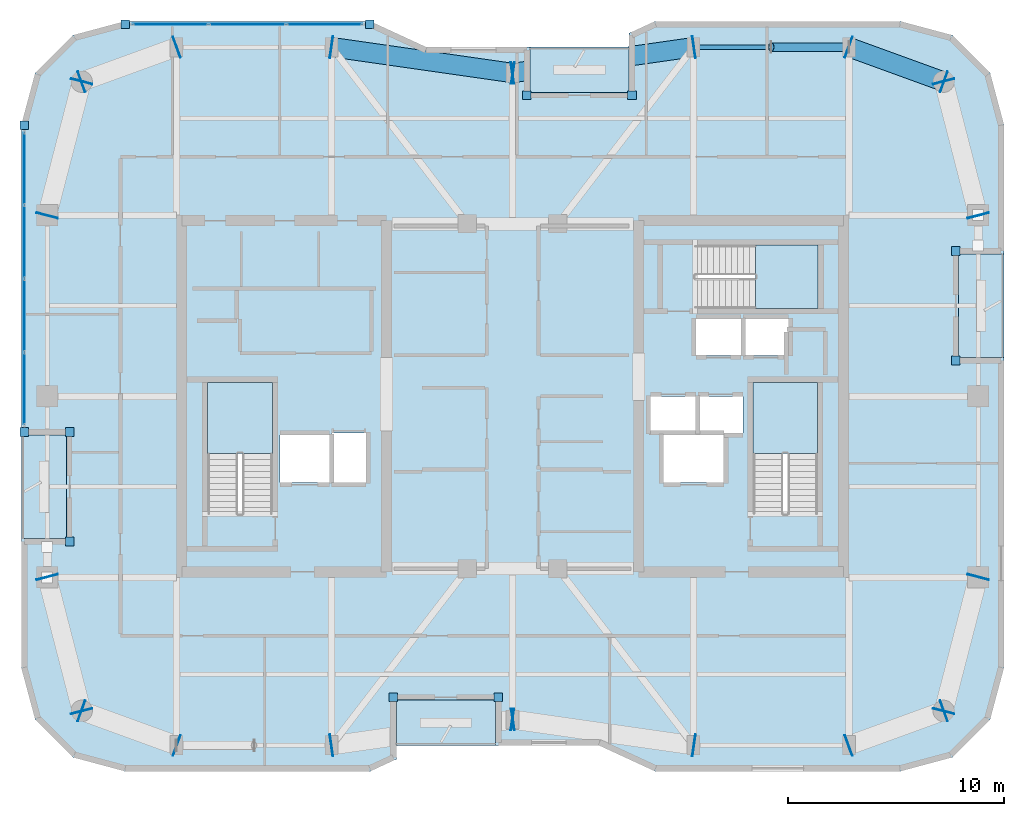
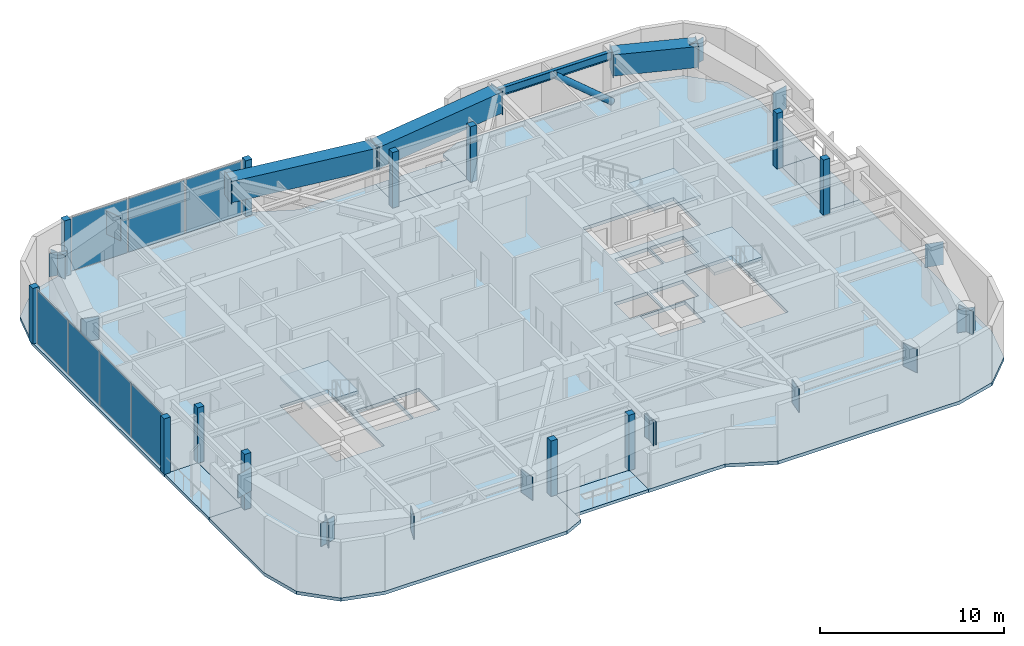
# One storey, part 7 of 15: 43 plates, 8 slabs, 4 beams, 1 member, 5 elements without a shape of their own.
"""IFC4 building model written with IfcOpenShell, lengths in metres."""

from ifc_helpers import new_model, si_unit, direction, frame, origin, origin_2d, place, context, subcontext, project, spatial, polyline, rectangle, hollow_rectangle, hollow_circle, i_section, outline, extrude, material, layer, layer_set, material_profile, profile_set, type_object, element, aggregate, save


model = new_model("IFC4")

# Units and contexts
model_context = context("Model", 3, precision=1e-05, world=origin(), true_north=direction((0.0, 1.0)))
body_context = subcontext(model_context, "Body", "Model", "MODEL_VIEW")
ifc_project = project(units=[si_unit("LENGTHUNIT", "METRE"), si_unit("AREAUNIT", "SQUARE_METRE"), si_unit("VOLUMEUNIT", "CUBIC_METRE"), si_unit("PLANEANGLEUNIT", "RADIAN"), si_unit("MASSUNIT", "GRAM", prefix="KILO")], contexts=[model_context])

# Site, building, storey
site_placement = place(None, origin())
site = spatial("IfcSite", under=ifc_project, at=site_placement, CompositionType="ELEMENT")
building_placement = place(site_placement, origin())
building = spatial("IfcBuilding", under=site, at=building_placement, Name="Kiyonajd Concourse Tower", CompositionType="ELEMENT")
storey_placement = place(building_placement, frame((0.0, 0.0, 262.800048828125)))
storey = spatial("IfcBuildingStorey", under=building, at=storey_placement, Name="L66", CompositionType="ELEMENT", Elevation=262.800048828125)

# Beams
ifc_material_1 = material(Name="Steel ASTM A992 Grade 50", Category="steel")
ifc_material_profile_1 = material_profile(ifc_material_1, i_section(OverallWidth=0.2109375, OverallDepth=0.5390625, WebThickness=0.01171875, FlangeThickness=0.018798828125, at=origin_2d()), Name="W530X109")
ifc_profile_set_1 = profile_set([ifc_material_profile_1], Name="Steel ASTM A992 Grade 50")
beam_type_1 = type_object("IfcBeamType", Name="BM-SPAN-530B", PredefinedType="SPANDREL", material=ifc_profile_set_1)
beam_1_placement = place(storey_placement, frame((63.60009765625, 52.199951171875, 3.410400390625), z_axis=(-1.0, 0.0, 0.0), x_axis=(0.0, -1.0, 0.0)))
element("IfcBeam", 1, at=beam_1_placement, inside=storey, type_object=beam_type_1, Name="L66 Perimeter Bundled Tube Spandrel", PredefinedType="SPANDREL", context=body_context, shape_type="SweptSolid", body=[
    extrude(i_section(OverallWidth=0.2109375, OverallDepth=0.5390625, WebThickness=0.01171875, FlangeThickness=0.018798828125, at=origin_2d()), origin(), (0.0, 0.0, 1.0), 7.2001953125),
])
ifc_material_2 = material(Name="Steel ASTM A572 Grade 50", Category="steel")
ifc_material_profile_2 = material_profile(ifc_material_2, hollow_rectangle(XDim=0.89990234375, YDim=1.39990234375, WallThickness=0.070068359375, at=origin_2d()), Name="BOX-1400x900x70")
ifc_profile_set_2 = profile_set([ifc_material_profile_2], Name="Steel ASTM A572 Grade 50")
beam_type_2 = type_object("IfcBeamType", Name="BM-XFER-1400", PredefinedType="BEAM", material=ifc_profile_set_2)
beam_2_placement = place(storey_placement, frame((68.0, 50.60009765625, 2.97998046875), z_axis=(-0.939801036019, 0.341722127901, 0.0), x_axis=(-0.341722127901, -0.939801036019, 0.0)))
element("IfcBeam", 2, at=beam_2_placement, inside=storey, type_object=beam_type_2, Name="L66 Perimeter Bundled Tube Spandrel", PredefinedType="BEAM", context=body_context, shape_type="SweptSolid", body=[
    extrude(hollow_rectangle(XDim=0.89990234375, YDim=1.39990234375, WallThickness=0.070068359375, at=origin_2d()), origin(), (0.0, 0.0, 1.0), 4.681640625),
])
for number, where, z_axis, x_axis, name in (
    (3, (56.39990234375, 52.199951171875, 2.97998046875), (-0.989950069105, -0.141417328072, 0.0), (0.141417328072, -0.989950069105, 0.0), "L66 Perimeter Bundled Tube Spandrel"),
    (4, (48.0, 51.0, 2.97998046875), (-0.989950069105, 0.141417328072, 0.0), (-0.141417328072, -0.989950069105, 0.0), "L66 Perimeter Bundled Tube Spandrel"),
):
    element("IfcBeam", number, at=place(storey_placement, frame(where, z_axis=z_axis, x_axis=x_axis)), inside=storey, type_object=beam_type_2, Name=name, PredefinedType="BEAM", context=body_context, shape_type="SweptSolid", body=[
        extrude(hollow_rectangle(XDim=0.89990234375, YDim=1.39990234375, WallThickness=0.070068359375, at=origin_2d()), origin(), (0.0, 0.0, 1.0), 8.485107421875),
    ])

# Member
ifc_material_3 = material(Name="Steel ASTM A500 Grade C", Category="steel")
ifc_material_profile_3 = material_profile(ifc_material_3, hollow_circle(Radius=0.202880859375, WallThickness=0.01904296875, at=origin_2d()), Name="CHS-406x19")
ifc_profile_set_3 = profile_set([ifc_material_profile_3], Name="Steel ASTM A500 Grade C")
member_type = type_object("IfcMemberType", Name="MB-PB-HIGH", PredefinedType="BRACE", material=ifc_profile_set_3)
member_placement = place(storey_placement, frame((63.60009765625, 52.199951171875, 0.300048828125), z_axis=(-0.765107605277, 0.0, 0.643902440085), x_axis=(0.0, -1.0, 0.0)))
element("IfcMember", 5, at=member_placement, inside=storey, type_object=member_type, Name="L66 Upper Zone Hollow Tube Brace PBN", PredefinedType="BRACE", context=body_context, shape_type="SweptSolid", body=[
    extrude(hollow_circle(Radius=0.202880859375, WallThickness=0.01904296875, at=origin_2d()), origin(), (0.0, 0.0, 1.0), 4.705322265625),
])

# Plates
ifc_layer_1 = layer(ifc_material_2, 0.031982421875)
ifc_layer_set_1 = layer_set([ifc_layer_1], Name="Steel ASTM A572 Grade 50")
plate_type_1 = type_object("IfcPlateType", Name="PL-CAP-540", PredefinedType="USERDEFINED", material=ifc_layer_set_1)
for number, where, z_axis, x_axis, name in (
    (6, (26.397216796875, 27.610595703125, 2.2099609375), (0.0, 0.0, 1.0), (-0.249873048837, 0.968278606324, 0.0), "L66 Welded Box Girder End Cap"),
    (7, (28.002685546875, 21.389404296875, 2.2099609375), (0.0, 0.0, 1.0), (0.249873048837, -0.968278606324, 0.0), "L66 Welded Box Girder End Cap"),
    (8, (27.98974609375, 21.40380859375, 2.2099609375), (0.0, 0.0, 1.0), (-0.939811951086, 0.341692107891, 0.0), "L66 Welded Box Girder End Cap"),
    (9, (32.410400390625, 19.796142578125, 2.2099609375), (0.0, 0.0, 1.0), (0.939811951086, -0.341692107891, 0.0), "L66 Welded Box Girder End Cap"),
    (10, (39.589111328125, 19.79833984375, 2.2099609375), (0.0, 0.0, 1.0), (-0.989949746297, -0.141419587774, 0.0), "L66 Welded Box Girder End Cap"),
    (11, (48.010986328125, 21.001708984375, 2.2099609375), (0.0, 0.0, 1.0), (0.989949746297, 0.141419587774, 0.0), "L66 Welded Box Girder End Cap"),
    (12, (47.989013671875, 21.001708984375, 2.2099609375), (0.0, 0.0, 1.0), (-0.989949746297, 0.141419587774, 0.0), "L66 Welded Box Girder End Cap"),
    (13, (56.410888671875, 19.79833984375, 2.2099609375), (0.0, 0.0, 1.0), (0.989949746297, -0.141419587774, 0.0), "L66 Welded Box Girder End Cap"),
    (14, (63.589599609375, 19.796142578125, 2.2099609375), (0.0, 0.0, 1.0), (-0.939811951086, -0.341692107891, 0.0), "L66 Welded Box Girder End Cap"),
    (15, (68.01025390625, 21.40380859375, 2.2099609375), (0.0, 0.0, 1.0), (0.939811951086, 0.341692107891, 0.0), "L66 Welded Box Girder End Cap"),
    (16, (67.997314453125, 21.389404296875, 2.2099609375), (0.0, 0.0, 1.0), (-0.249873048837, -0.968278606324, 0.0), "L66 Welded Box Girder End Cap"),
    (17, (69.602783203125, 27.610595703125, 2.2099609375), (0.0, 0.0, 1.0), (0.249873048837, 0.968278606324, 0.0), "L66 Welded Box Girder End Cap"),
    (18, (69.602783203125, 44.389404296875, 2.2099609375), (0.0, 0.0, 1.0), (0.249873048837, -0.968278606324, 0.0), "L66 Welded Box Girder End Cap"),
    (19, (67.997314453125, 50.610595703125, 2.2099609375), (0.0, 0.0, 1.0), (-0.249873048837, 0.968278606324, 0.0), "L66 Welded Box Girder End Cap"),
    (20, (68.01025390625, 50.59619140625, 2.2099609375), (0.0, 0.0, 1.0), (0.939811951086, -0.341692107891, 0.0), "L66 Welded Box Girder End Cap"),
    (21, (63.589599609375, 52.203857421875, 2.2099609375), (0.0, 0.0, 1.0), (-0.939811951086, 0.341692107891, 0.0), "L66 Welded Box Girder End Cap"),
    (22, (56.410888671875, 52.20166015625, 2.2099609375), (0.0, 0.0, 1.0), (0.989949746297, 0.141419587774, 0.0), "L66 Welded Box Girder End Cap"),
    (23, (47.989013671875, 50.998291015625, 2.2099609375), (0.0, 0.0, 1.0), (-0.989949746297, -0.141419587774, 0.0), "L66 Welded Box Girder End Cap"),
    (24, (48.010986328125, 50.998291015625, 2.2099609375), (0.0, 0.0, 1.0), (0.989949746297, -0.141419587774, 0.0), "L66 Welded Box Girder End Cap"),
    (25, (39.589111328125, 52.20166015625, 2.2099609375), (0.0, 0.0, 1.0), (-0.989949746297, 0.141419587774, 0.0), "L66 Welded Box Girder End Cap"),
    (26, (32.410400390625, 52.203857421875, 2.2099609375), (0.0, 0.0, 1.0), (0.939811951086, 0.341692107891, 0.0), "L66 Welded Box Girder End Cap"),
    (27, (27.98974609375, 50.59619140625, 2.2099609375), (0.0, 0.0, 1.0), (-0.939811951086, -0.341692107891, 0.0), "L66 Welded Box Girder End Cap"),
    (28, (28.002685546875, 50.610595703125, 2.2099609375), (0.0, 0.0, 1.0), (0.249873048837, 0.968278606324, 0.0), "L66 Welded Box Girder End Cap"),
    (29, (26.397216796875, 44.389404296875, 2.2099609375), (0.0, 0.0, 1.0), (-0.249873048837, -0.968278606324, 0.0), "L66 Welded Box Girder End Cap"),
):
    element("IfcPlate", number, at=place(storey_placement, frame(where, z_axis=z_axis, x_axis=x_axis)), inside=storey, type_object=plate_type_1, Name=name, ObjectType="CAP PLATE", PredefinedType="USERDEFINED", context=body_context, shape_type="SweptSolid", body=[
        extrude(rectangle(XDim=0.035888671875, YDim=1.02001953125, at=origin_2d()), origin(), (0.0, 0.0, 1.0), 1.5400390625),
    ])

# Curtain wall, plates
ifc_material_4 = material(Name="Thermally Broken Anodised Aluminium", Category="aluminium")
ifc_layer_2 = layer(ifc_material_4, 0.179931640625)
ifc_layer_set_2 = layer_set([ifc_layer_2], Name="Thermally Broken Anodised Aluminium")
curtain_wall_type = type_object("IfcCurtainWallType", Name="CW-SYS-04", PredefinedType="NOTDEFINED", material=ifc_layer_set_2)
curtain_wall_1_placement = place(storey_placement, origin())
curtain_wall_1 = element("IfcCurtainWall", 30, at=curtain_wall_1_placement, inside=storey, type_object=curtain_wall_type, Name="L66 Unitised Curtain Wall CW4", PredefinedType="NOTDEFINED")
ifc_material_5 = material(Name="Double Low-E Insulated Glass", Category="glass")
ifc_layer_3 = layer(ifc_material_5, 0.033935546875)
ifc_layer_set_3 = layer_set([ifc_layer_3], Name="Double Low-E Insulated Glass")
plate_type_2 = type_object("IfcPlateType", Name="PL-CW-VIS34", PredefinedType="CURTAIN_PANEL", material=ifc_layer_set_3)
plate_1_placement = place(storey_placement, frame((25.340087890625, 36.35400390625, 0.06494140625), z_axis=(0.0, 0.0, 1.0), x_axis=(0.0, 1.0, 0.0)))
plate_1 = element("IfcPlate", 31, at=plate_1_placement, type_object=plate_type_2, Name="CW4 panel 1.1", PredefinedType="CURTAIN_PANEL", context=body_context, shape_type="SweptSolid", body=[
    extrude(rectangle(XDim=3.31787109375, YDim=0.033935546875, at=origin_2d()), origin(), (0.0, 0.0, 1.0), 3.550048828125),
])
plate_2_placement = place(storey_placement, frame((25.340087890625, 39.753173828125, 0.06494140625), z_axis=(0.0, 0.0, 1.0), x_axis=(0.0, 1.0, 0.0)))
plate_2 = element("IfcPlate", 32, at=plate_2_placement, type_object=plate_type_2, Name="CW4 panel 2.1", PredefinedType="CURTAIN_PANEL", context=body_context, shape_type="SweptSolid", body=[
    extrude(rectangle(XDim=3.350341796875, YDim=0.033935546875, at=origin_2d()), origin(), (0.0, 0.0, 1.0), 3.550048828125),
])
plate_3_placement = place(storey_placement, frame((25.340087890625, 43.16845703125, 0.06494140625), z_axis=(0.0, 0.0, 1.0), x_axis=(0.0, 1.0, 0.0)))
plate_3 = element("IfcPlate", 33, at=plate_3_placement, type_object=plate_type_2, Name="CW4 panel 3.1", PredefinedType="CURTAIN_PANEL", context=body_context, shape_type="SweptSolid", body=[
    extrude(rectangle(XDim=3.350341796875, YDim=0.033935546875, at=origin_2d()), origin(), (0.0, 0.0, 1.0), 3.550048828125),
])
plate_4_placement = place(storey_placement, frame((25.340087890625, 46.567626953125, 0.06494140625), z_axis=(0.0, 0.0, 1.0), x_axis=(0.0, 1.0, 0.0)))
plate_4 = element("IfcPlate", 34, at=plate_4_placement, type_object=plate_type_2, Name="CW4 panel 4.1", PredefinedType="CURTAIN_PANEL", context=body_context, shape_type="SweptSolid", body=[
    extrude(rectangle(XDim=3.31787109375, YDim=0.033935546875, at=origin_2d()), origin(), (0.0, 0.0, 1.0), 3.550048828125),
])
aggregate(curtain_wall_1, [plate_1, plate_2, plate_3, plate_4])

curtain_wall_2_placement = place(storey_placement, origin())
curtain_wall_2 = element("IfcCurtainWall", 35, at=curtain_wall_2_placement, inside=storey, type_object=curtain_wall_type, Name="L66 Unitised Curtain Wall CW4", PredefinedType="NOTDEFINED")
plate_5_placement = place(storey_placement, frame((32.119873046875, 53.260009765625, 0.06494140625), z_axis=(0.0, 0.0, 1.0), x_axis=(1.0, 0.0, 0.0)))
plate_5 = element("IfcPlate", 36, at=plate_5_placement, type_object=plate_type_2, Name="CW4 panel 1.1", PredefinedType="CURTAIN_PANEL", context=body_context, shape_type="SweptSolid", body=[
    extrude(rectangle(XDim=3.492919921875, YDim=0.033935546875, at=origin_2d()), origin(), (0.0, 0.0, 1.0), 3.550048828125),
])
plate_6_placement = place(storey_placement, frame((35.69384765625, 53.260009765625, 0.06494140625), z_axis=(0.0, 0.0, 1.0), x_axis=(1.0, 0.0, 0.0)))
plate_6 = element("IfcPlate", 37, at=plate_6_placement, type_object=plate_type_2, Name="CW4 panel 2.1", PredefinedType="CURTAIN_PANEL", context=body_context, shape_type="SweptSolid", body=[
    extrude(rectangle(XDim=3.525390625, YDim=0.033935546875, at=origin_2d()), origin(), (0.0, 0.0, 1.0), 3.550048828125),
])
plate_7_placement = place(storey_placement, frame((39.267822265625, 53.260009765625, 0.06494140625), z_axis=(0.0, 0.0, 1.0), x_axis=(1.0, 0.0, 0.0)))
plate_7 = element("IfcPlate", 38, at=plate_7_placement, type_object=plate_type_2, Name="CW4 panel 3.1", PredefinedType="CURTAIN_PANEL", context=body_context, shape_type="SweptSolid", body=[
    extrude(rectangle(XDim=3.492919921875, YDim=0.033935546875, at=origin_2d()), origin(), (0.0, 0.0, 1.0), 3.550048828125),
])
aggregate(curtain_wall_2, [plate_5, plate_6, plate_7])

# Plates
ifc_layer_4 = layer(ifc_material_4, 0.39990234375)
ifc_layer_set_4 = layer_set([ifc_layer_4], Name="Thermally Broken Anodised Aluminium")
plate_type_3 = type_object("IfcPlateType", Name="PL-JMB-400", PredefinedType="USERDEFINED", material=ifc_layer_set_4)
for number, where, z_axis, x_axis, name in (
    (39, (27.43994140625, 29.260009765625, 0.0), (0.0, 0.0, 1.0), (1.0, 0.0, 0.0), "L66 Facade Jamb Closure Plate 01"),
    (40, (27.43994140625, 34.340087890625, 0.0), (0.0, 0.0, 1.0), (1.0, 0.0, 0.0), "L66 Facade Jamb Closure Plate 02"),
    (41, (25.340087890625, 34.340087890625, 0.0), (0.0, 0.0, 1.0), (1.0, 0.0, 0.0), "L66 Facade Jamb Closure Plate 03"),
    (42, (25.340087890625, 48.58154296875, 0.0), (0.0, 0.0, 1.0), (1.0, 0.0, 0.0), "L66 Facade Jamb Closure Plate 04"),
    (43, (30.018310546875, 53.260009765625, 0.0), (0.0, 0.0, 1.0), (1.0, 0.0, 0.0), "L66 Facade Jamb Closure Plate 05"),
    (44, (41.369384765625, 53.260009765625, 0.0), (0.0, 0.0, 1.0), (1.0, 0.0, 0.0), "L66 Facade Jamb Closure Plate 06"),
    (45, (48.659912109375, 49.9599609375, 0.0), (0.0, 0.0, 1.0), (1.0, 0.0, 0.0), "L66 Facade Jamb Closure Plate 07"),
    (46, (53.5400390625, 49.9599609375, 0.0), (0.0, 0.0, 1.0), (1.0, 0.0, 0.0), "L66 Facade Jamb Closure Plate 08"),
    (47, (68.56005859375, 42.739990234375, 0.0), (0.0, 0.0, 1.0), (1.0, 0.0, 0.0), "L66 Facade Jamb Closure Plate 09"),
    (48, (68.56005859375, 37.659912109375, 0.0), (0.0, 0.0, 1.0), (1.0, 0.0, 0.0), "L66 Facade Jamb Closure Plate 10"),
    (49, (47.340087890625, 22.0400390625, 0.0), (0.0, 0.0, 1.0), (1.0, 0.0, 0.0), "L66 Facade Jamb Closure Plate 11"),
    (50, (42.4599609375, 22.0400390625, 0.0), (0.0, 0.0, 1.0), (1.0, 0.0, 0.0), "L66 Facade Jamb Closure Plate 12"),
):
    element("IfcPlate", number, at=place(storey_placement, frame(where, z_axis=z_axis, x_axis=x_axis)), inside=storey, type_object=plate_type_3, Name=name, ObjectType="JAMB PLATE", PredefinedType="USERDEFINED", context=body_context, shape_type="SweptSolid", body=[
        extrude(rectangle(XDim=0.39990234375, YDim=0.39990234375, at=origin_2d()), origin(), (0.0, 0.0, 1.0), 3.679931640625),
    ])

# Stair, slab
ifc_material_6 = material(Name="Concrete C40/50", Category="concrete")
stair_type = type_object("IfcStairType", Name="ST-DLG-22R", PredefinedType="HALF_TURN_STAIR", material=ifc_material_6)
stair_1_placement = place(storey_placement, origin())
stair_1 = element("IfcStair", 51, at=stair_1_placement, inside=storey, type_object=stair_type, Name="L66 Protected Exit Stair ST1", PredefinedType="HALF_TURN_STAIR")
ifc_layer_5 = layer(ifc_material_6, 0.199951171875)
ifc_layer_set_5 = layer_set([ifc_layer_5], Name="Concrete C40/50")
slab_type_1 = type_object("IfcSlabType", Name="SL-LND-200", PredefinedType="LANDING", material=ifc_layer_set_5)
slab_1_placement = place(storey_placement, frame((0.0, 0.0, 1.75)))
slab_1 = element("IfcSlab", 52, at=slab_1_placement, type_object=slab_type_1, Name="ST1 landing 1", PredefinedType="LANDING", context=body_context, shape_type="SweptSolid", body=[
    extrude(outline(polyline([(36.85009765625, 33.35009765625), (36.85009765625, 36.64990234375), (33.85009765625, 36.64990234375), (33.85009765625, 33.35009765625), (36.85009765625, 33.35009765625)])), origin(), (0.0, 0.0, 1.0), 0.199951171875),
])
aggregate(stair_1, [slab_1])

stair_2_placement = place(storey_placement, origin())
stair_2 = element("IfcStair", 53, at=stair_2_placement, inside=storey, type_object=stair_type, Name="L66 Protected Exit Stair ST2", PredefinedType="HALF_TURN_STAIR")
slab_2_placement = place(storey_placement, frame((0.0, 0.0, 1.75)))
slab_2 = element("IfcSlab", 54, at=slab_2_placement, type_object=slab_type_1, Name="ST2 landing 1", PredefinedType="LANDING", context=body_context, shape_type="SweptSolid", body=[
    extrude(outline(polyline([(62.14990234375, 33.35009765625), (62.14990234375, 36.64990234375), (59.14990234375, 36.64990234375), (59.14990234375, 33.35009765625), (62.14990234375, 33.35009765625)])), origin(), (0.0, 0.0, 1.0), 0.199951171875),
])
aggregate(stair_2, [slab_2])

stair_3_placement = place(storey_placement, origin())
stair_3 = element("IfcStair", 55, at=stair_3_placement, inside=storey, type_object=stair_type, Name="L66 Protected Exit Stair ST3", PredefinedType="HALF_TURN_STAIR")
slab_3_placement = place(storey_placement, frame((0.0, 0.0, 1.75)))
slab_3 = element("IfcSlab", 56, at=slab_3_placement, type_object=slab_type_1, Name="ST3 landing 1", PredefinedType="LANDING", context=body_context, shape_type="SweptSolid", body=[
    extrude(outline(polyline([(59.280029296875, 40.080078125), (62.179931640625, 40.080078125), (62.179931640625, 43.02001953125), (59.280029296875, 43.02001953125), (59.280029296875, 40.080078125)])), origin(), (0.0, 0.0, 1.0), 0.199951171875),
])
aggregate(stair_3, [slab_3])

# Slabs
ifc_material_7 = material(Name="Precast concrete C50/60", Category="concrete")
ifc_layer_6 = layer(ifc_material_7, 0.199951171875)
ifc_layer_set_6 = layer_set([ifc_layer_6], Name="Precast concrete C50/60")
slab_type_2 = type_object("IfcSlabType", Name="SL-LOG-200", PredefinedType="FLOOR", material=ifc_layer_set_6)
slab_4_placement = place(storey_placement, frame((0.0, 0.0, -0.199951171875)))
element("IfcSlab", 57, at=slab_4_placement, inside=storey, type_object=slab_type_2, Name="L66 Recessed Engawa Loggia Terrace Slab LOG-S", PredefinedType="FLOOR", context=body_context, shape_type="SweptSolid", body=[
    extrude(outline(polyline([(42.60009765625, 19.800048828125), (47.199951171875, 19.800048828125), (47.199951171875, 21.89990234375), (42.60009765625, 21.89990234375), (42.60009765625, 19.800048828125)])), origin(), (0.0, 0.0, 1.0), 0.199951171875),
])
slab_5_placement = place(storey_placement, frame((0.0, 0.0, -0.199951171875)))
element("IfcSlab", 58, at=slab_5_placement, inside=storey, type_object=slab_type_2, Name="L66 Recessed Engawa Loggia Terrace Slab LOG-N", PredefinedType="FLOOR", context=body_context, shape_type="SweptSolid", body=[
    extrude(outline(polyline([(48.800048828125, 50.10009765625), (53.39990234375, 50.10009765625), (53.39990234375, 52.199951171875), (48.800048828125, 52.199951171875), (48.800048828125, 50.10009765625)])), origin(), (0.0, 0.0, 1.0), 0.199951171875),
])
slab_6_placement = place(storey_placement, frame((0.0, 0.0, -0.199951171875)))
element("IfcSlab", 59, at=slab_6_placement, inside=storey, type_object=slab_type_2, Name="L66 Recessed Engawa Loggia Terrace Slab LOG-W", PredefinedType="FLOOR", context=body_context, shape_type="SweptSolid", body=[
    extrude(outline(polyline([(25.199951171875, 29.39990234375), (27.300048828125, 29.39990234375), (27.300048828125, 34.199951171875), (25.199951171875, 34.199951171875), (25.199951171875, 29.39990234375)])), origin(), (0.0, 0.0, 1.0), 0.199951171875),
])
slab_7_placement = place(storey_placement, frame((0.0, 0.0, -0.199951171875)))
element("IfcSlab", 60, at=slab_7_placement, inside=storey, type_object=slab_type_2, Name="L66 Recessed Engawa Loggia Terrace Slab LOG-E", PredefinedType="FLOOR", context=body_context, shape_type="SweptSolid", body=[
    extrude(outline(polyline([(68.699951171875, 37.800048828125), (70.800048828125, 37.800048828125), (70.800048828125, 42.60009765625), (68.699951171875, 42.60009765625), (68.699951171875, 37.800048828125)])), origin(), (0.0, 0.0, 1.0), 0.199951171875),
])
ifc_layer_7 = layer(ifc_material_6, 0.219970703125)
ifc_layer_set_7 = layer_set([ifc_layer_7], Name="Concrete C40/50")
slab_type_3 = type_object("IfcSlabType", Name="SL-TWR-220", PredefinedType="FLOOR", material=ifc_layer_set_7)
slab_8_placement = place(storey_placement, frame((0.0, 0.0, -0.219970703125)))
element("IfcSlab", 61, at=slab_8_placement, inside=storey, type_object=slab_type_3, Name="L66 Tower Conditioned Floor Slab", PredefinedType="FLOOR", context=body_context, shape_type="SweptSolid", body=[
    extrude(outline(polyline([(25.843017578125, 21.0), (25.199951171875, 23.39990234375), (25.199951171875, 29.39990234375), (27.300048828125, 29.39990234375), (27.300048828125, 34.199951171875), (25.199951171875, 34.199951171875), (25.199951171875, 48.60009765625), (25.843017578125, 51.0), (27.60009765625, 52.757080078125), (30.0, 53.39990234375), (41.39990234375, 53.39990234375), (44.0, 52.199951171875), (48.800048828125, 52.199951171875), (48.800048828125, 50.10009765625), (53.39990234375, 50.10009765625), (53.39990234375, 52.845947265625), (54.60009765625, 53.39990234375), (66.0, 53.39990234375), (68.39990234375, 52.757080078125), (70.156982421875, 51.0), (70.800048828125, 48.60009765625), (70.800048828125, 42.60009765625), (68.699951171875, 42.60009765625), (68.699951171875, 37.800048828125), (70.800048828125, 37.800048828125), (70.800048828125, 23.39990234375), (70.156982421875, 21.0), (68.39990234375, 19.242919921875), (66.0, 18.60009765625), (54.60009765625, 18.60009765625), (52.0, 19.800048828125), (47.199951171875, 19.800048828125), (47.199951171875, 21.89990234375), (42.60009765625, 21.89990234375), (42.60009765625, 19.154052734375), (41.39990234375, 18.60009765625), (30.0, 18.60009765625), (27.60009765625, 19.242919921875), (25.843017578125, 21.0)]), holes=[polyline([(39.5, 32.0), (37.199951171875, 32.0), (37.199951171875, 34.199951171875), (39.5, 34.199951171875), (39.5, 32.0)]), polyline([(57.800048828125, 32.0), (55.0, 32.0), (55.0, 34.199951171875), (57.800048828125, 34.199951171875), (57.800048828125, 32.0)]), polyline([(41.199951171875, 32.0), (39.60009765625, 32.0), (39.60009765625, 34.300048828125), (41.199951171875, 34.300048828125), (41.199951171875, 32.0)]), polyline([(33.85009765625, 30.550048828125), (33.85009765625, 36.64990234375), (36.85009765625, 36.64990234375), (36.85009765625, 30.550048828125), (33.85009765625, 30.550048828125)]), polyline([(59.14990234375, 30.550048828125), (59.14990234375, 36.64990234375), (62.14990234375, 36.64990234375), (62.14990234375, 30.550048828125), (59.14990234375, 30.550048828125)]), polyline([(56.5, 34.300048828125), (54.39990234375, 34.300048828125), (54.39990234375, 36.0), (56.5, 36.0), (56.5, 34.300048828125)]), polyline([(58.699951171875, 34.300048828125), (56.60009765625, 34.300048828125), (56.60009765625, 36.0), (58.699951171875, 36.0), (58.699951171875, 34.300048828125)]), polyline([(58.60009765625, 37.89990234375), (56.5, 37.89990234375), (56.5, 39.60009765625), (58.60009765625, 39.60009765625), (58.60009765625, 37.89990234375)]), polyline([(58.699951171875, 37.89990234375), (58.699951171875, 39.60009765625), (60.800048828125, 39.60009765625), (60.800048828125, 37.89990234375), (58.699951171875, 37.89990234375)]), polyline([(56.47998046875, 43.02001953125), (62.179931640625, 43.02001953125), (62.179931640625, 40.080078125), (56.47998046875, 40.080078125), (56.47998046875, 43.02001953125)])]), origin(), (0.0, 0.0, 1.0), 0.219970703125),
])

save(model, "model.ifc")
